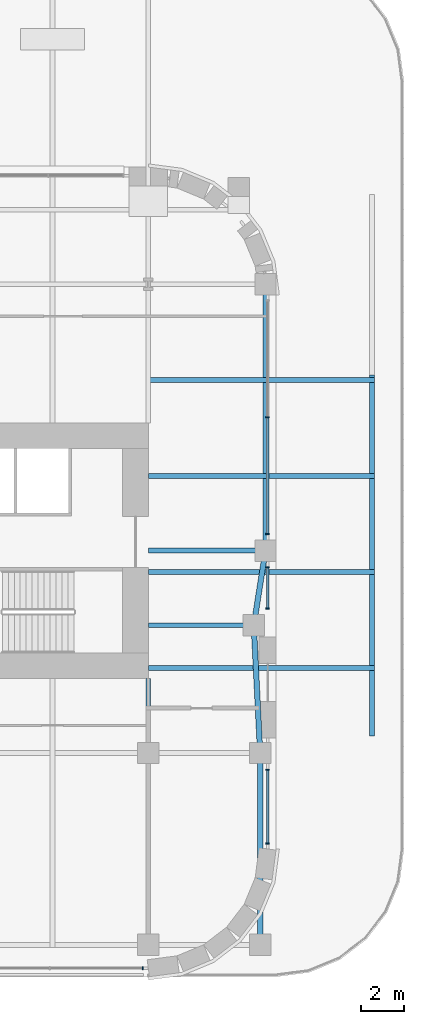
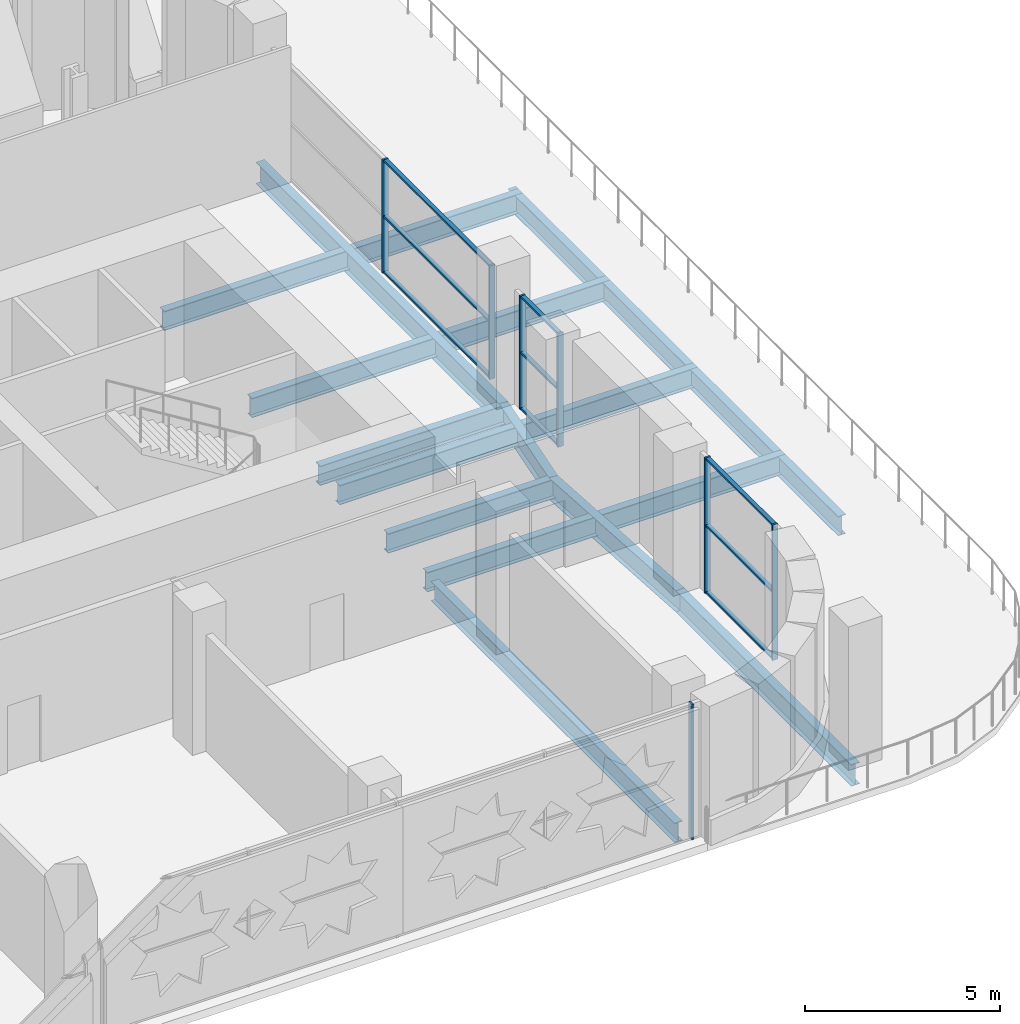
# One storey, part 10 of 26: 16 members, 12 beams, 4 elements without a shape of their own.
"""IFC4 building model written with IfcOpenShell, lengths in metres."""

from ifc_helpers import new_model, si_unit, direction, frame, origin, origin_2d, place, context, subcontext, project, spatial, rectangle, i_section, extrude, material, material_profile, profile_set, type_object, element, aggregate, save


model = new_model("IFC4")

# Units and contexts
model_context = context("Model", 3, precision=1e-05, world=origin(), true_north=direction((0.0, 1.0)))
body_context = subcontext(model_context, "Body", "Model", "MODEL_VIEW")
ifc_project = project(units=[si_unit("LENGTHUNIT", "METRE"), si_unit("AREAUNIT", "SQUARE_METRE"), si_unit("VOLUMEUNIT", "CUBIC_METRE"), si_unit("PLANEANGLEUNIT", "RADIAN"), si_unit("MASSUNIT", "GRAM", prefix="KILO")], contexts=[model_context])

# Site, building, storey
site_placement = place(None, origin())
site = spatial("IfcSite", under=ifc_project, at=site_placement, CompositionType="ELEMENT")
building_placement = place(site_placement, origin())
building = spatial("IfcBuilding", under=site, at=building_placement, Name="Zellij Exchange Tower", CompositionType="ELEMENT")
storey_placement = place(building_placement, frame((0.0, 0.0, 39.0)))
storey = spatial("IfcBuildingStorey", under=building, at=storey_placement, Name="L06", CompositionType="ELEMENT", Elevation=39.0)

# Curtain wall, member
ifc_material_1 = material(Name="Aluminium frame, clear insulating glass", Category="aluminium")
curtain_wall_type = type_object("IfcCurtainWallType", Name="ENV-CW1 Sky-garden glazing", PredefinedType="NOTDEFINED", material=ifc_material_1)
curtain_wall_1_placement = place(storey_placement, origin())
curtain_wall_1 = element("IfcCurtainWall", 1, at=curtain_wall_1_placement, inside=storey, type_object=curtain_wall_type, Name="cw.L06.00c", PredefinedType="NOTDEFINED")
ifc_material_2 = material(Name="Aluminium", Category="aluminium")
ifc_material_profile_1 = material_profile(ifc_material_2, rectangle(XDim=0.06005859375, YDim=0.159912109375, at=origin_2d()), Name="AL 60x160")
ifc_profile_set_1 = profile_set([ifc_material_profile_1], Name="Aluminium")
member_type_1 = type_object("IfcMemberType", Name="ENV-CW1M Mullion 60x160", PredefinedType="MULLION", material=ifc_profile_set_1)
member_1_placement = place(storey_placement, frame((26.743896484375, -27.60009765625, 0.0), z_axis=(0.0, 0.0, 1.0), x_axis=(1.0, 0.0, 0.0)))
member_1 = element("IfcMember", 2, at=member_1_placement, type_object=member_type_1, Name="CW1 mullion 5", PredefinedType="MULLION", context=body_context, shape_type="SweptSolid", body=[
    extrude(rectangle(XDim=0.06005859375, YDim=0.159912109375, at=origin_2d()), origin(), (0.0, 0.0, 1.0), 4.25),
])
aggregate(curtain_wall_1, [member_1])

# Curtain wall, members
curtain_wall_2_placement = place(storey_placement, origin())
curtain_wall_2 = element("IfcCurtainWall", 3, at=curtain_wall_2_placement, inside=storey, type_object=curtain_wall_type, Name="cw.L06.07a", PredefinedType="NOTDEFINED")
member_2_placement = place(storey_placement, frame((32.60009765625, -21.743896484375, 0.0), z_axis=(0.0, 0.0, 1.0), x_axis=(0.0, 1.0, 0.0)))
member_2 = element("IfcMember", 4, at=member_2_placement, type_object=member_type_1, Name="CW1 mullion 1", PredefinedType="MULLION", context=body_context, shape_type="SweptSolid", body=[
    extrude(rectangle(XDim=0.06005859375, YDim=0.159912109375, at=origin_2d()), origin(), (0.0, 0.0, 1.0), 4.25),
])
member_3_placement = place(storey_placement, frame((32.60009765625, -18.280029296875, 0.0), z_axis=(0.0, 0.0, 1.0), x_axis=(0.0, 1.0, 0.0)))
member_3 = element("IfcMember", 5, at=member_3_placement, type_object=member_type_1, Name="CW1 mullion 2", PredefinedType="MULLION", context=body_context, shape_type="SweptSolid", body=[
    extrude(rectangle(XDim=0.06005859375, YDim=0.159912109375, at=origin_2d()), origin(), (0.0, 0.0, 1.0), 4.25),
])

curtain_wall_3_placement = place(storey_placement, origin())
curtain_wall_3 = element("IfcCurtainWall", 6, at=curtain_wall_3_placement, inside=storey, type_object=curtain_wall_type, Name="cw.L06.07c", PredefinedType="NOTDEFINED")
member_4_placement = place(storey_placement, frame((32.60009765625, -10.719970703125, 0.0), z_axis=(0.0, 0.0, 1.0), x_axis=(0.0, 1.0, 0.0)))
member_4 = element("IfcMember", 7, at=member_4_placement, type_object=member_type_1, Name="CW1 mullion 1", PredefinedType="MULLION", context=body_context, shape_type="SweptSolid", body=[
    extrude(rectangle(XDim=0.06005859375, YDim=0.159912109375, at=origin_2d()), origin(), (0.0, 0.0, 1.0), 3.561767578125),
])
member_5_placement = place(storey_placement, frame((32.60009765625, -8.780029296875, 0.0), z_axis=(0.0, 0.0, 1.0), x_axis=(0.0, 1.0, 0.0)))
member_5 = element("IfcMember", 8, at=member_5_placement, type_object=member_type_1, Name="CW1 mullion 2", PredefinedType="MULLION", context=body_context, shape_type="SweptSolid", body=[
    extrude(rectangle(XDim=0.06005859375, YDim=0.159912109375, at=origin_2d()), origin(), (0.0, 0.0, 1.0), 3.561767578125),
])

curtain_wall_4_placement = place(storey_placement, origin())
curtain_wall_4 = element("IfcCurtainWall", 9, at=curtain_wall_4_placement, inside=storey, type_object=curtain_wall_type, Name="cw.L06.07d", PredefinedType="NOTDEFINED")
member_6_placement = place(storey_placement, frame((32.60009765625, -7.219970703125, 0.0), z_axis=(0.0, 0.0, 1.0), x_axis=(0.0, 1.0, 0.0)))
member_6 = element("IfcMember", 10, at=member_6_placement, type_object=member_type_1, Name="CW1 mullion 1", PredefinedType="MULLION", context=body_context, shape_type="SweptSolid", body=[
    extrude(rectangle(XDim=0.06005859375, YDim=0.159912109375, at=origin_2d()), origin(), (0.0, 0.0, 1.0), 3.561767578125),
])
member_7_placement = place(storey_placement, frame((32.60009765625, -1.738037109375, 0.0), z_axis=(0.0, 0.0, 1.0), x_axis=(0.0, 1.0, 0.0)))
member_7 = element("IfcMember", 11, at=member_7_placement, type_object=member_type_1, Name="CW1 mullion 2", PredefinedType="MULLION", context=body_context, shape_type="SweptSolid", body=[
    extrude(rectangle(XDim=0.06005859375, YDim=0.159912109375, at=origin_2d()), origin(), (0.0, 0.0, 1.0), 3.561767578125),
])

# Member
ifc_material_profile_2 = material_profile(ifc_material_2, rectangle(XDim=0.1201171875, YDim=0.06005859375, at=origin_2d()), Name="AL 120x60")
ifc_profile_set_2 = profile_set([ifc_material_profile_2], Name="Aluminium")
member_type_2 = type_object("IfcMemberType", Name="ENV-CW1T Transom 120x60", PredefinedType="USERDEFINED", material=ifc_profile_set_2)
member_8_placement = place(storey_placement, frame((32.60009765625, -21.7138671875, 0.030029296875), z_axis=(0.0, 1.0, 0.0), x_axis=(-1.0, 0.0, 0.0)))
member_8 = element("IfcMember", 12, at=member_8_placement, type_object=member_type_2, Name="CW1 transom 1.1", ObjectType="TRANSOM", PredefinedType="USERDEFINED", context=body_context, shape_type="SweptSolid", body=[
    extrude(rectangle(XDim=0.1201171875, YDim=0.06005859375, at=origin_2d()), origin(), (0.0, 0.0, 1.0), 3.40380859375),
])

member_9_placement = place(storey_placement, frame((32.60009765625, -21.7138671875, 2.125), z_axis=(0.0, 1.0, 0.0), x_axis=(-1.0, 0.0, 0.0)))
member_9 = element("IfcMember", 13, at=member_9_placement, type_object=member_type_2, Name="CW1 transom 1.2", ObjectType="TRANSOM", PredefinedType="USERDEFINED", context=body_context, shape_type="SweptSolid", body=[
    extrude(rectangle(XDim=0.1201171875, YDim=0.06005859375, at=origin_2d()), origin(), (0.0, 0.0, 1.0), 3.40380859375),
])

member_10_placement = place(storey_placement, frame((32.60009765625, -21.7138671875, 4.219970703125), z_axis=(0.0, 1.0, 0.0), x_axis=(-1.0, 0.0, 0.0)))
member_10 = element("IfcMember", 14, at=member_10_placement, type_object=member_type_2, Name="CW1 transom 1.3", ObjectType="TRANSOM", PredefinedType="USERDEFINED", context=body_context, shape_type="SweptSolid", body=[
    extrude(rectangle(XDim=0.1201171875, YDim=0.06005859375, at=origin_2d()), origin(), (0.0, 0.0, 1.0), 3.40380859375),
])

aggregate(curtain_wall_2, [member_2, member_3, member_8, member_9, member_10])

member_11_placement = place(storey_placement, frame((32.60009765625, -10.68994140625, 0.030029296875), z_axis=(0.0, 1.0, 0.0), x_axis=(-1.0, 0.0, 0.0)))
member_11 = element("IfcMember", 15, at=member_11_placement, type_object=member_type_2, Name="CW1 transom 1.1", ObjectType="TRANSOM", PredefinedType="USERDEFINED", context=body_context, shape_type="SweptSolid", body=[
    extrude(rectangle(XDim=0.1201171875, YDim=0.06005859375, at=origin_2d()), origin(), (0.0, 0.0, 1.0), 1.8798828125),
])

member_12_placement = place(storey_placement, frame((32.60009765625, -10.68994140625, 1.781005859375), z_axis=(0.0, 1.0, 0.0), x_axis=(-1.0, 0.0, 0.0)))
member_12 = element("IfcMember", 16, at=member_12_placement, type_object=member_type_2, Name="CW1 transom 1.2", ObjectType="TRANSOM", PredefinedType="USERDEFINED", context=body_context, shape_type="SweptSolid", body=[
    extrude(rectangle(XDim=0.1201171875, YDim=0.06005859375, at=origin_2d()), origin(), (0.0, 0.0, 1.0), 1.8798828125),
])

member_13_placement = place(storey_placement, frame((32.60009765625, -10.68994140625, 3.53173828125), z_axis=(0.0, 1.0, 0.0), x_axis=(-1.0, 0.0, 0.0)))
member_13 = element("IfcMember", 17, at=member_13_placement, type_object=member_type_2, Name="CW1 transom 1.3", ObjectType="TRANSOM", PredefinedType="USERDEFINED", context=body_context, shape_type="SweptSolid", body=[
    extrude(rectangle(XDim=0.1201171875, YDim=0.06005859375, at=origin_2d()), origin(), (0.0, 0.0, 1.0), 1.8798828125),
])

aggregate(curtain_wall_3, [member_4, member_5, member_11, member_12, member_13])

member_14_placement = place(storey_placement, frame((32.60009765625, -7.18994140625, 0.030029296875), z_axis=(0.0, 1.0, 0.0), x_axis=(-1.0, 0.0, 0.0)))
member_14 = element("IfcMember", 18, at=member_14_placement, type_object=member_type_2, Name="CW1 transom 1.1", ObjectType="TRANSOM", PredefinedType="USERDEFINED", context=body_context, shape_type="SweptSolid", body=[
    extrude(rectangle(XDim=0.1201171875, YDim=0.06005859375, at=origin_2d()), origin(), (0.0, 0.0, 1.0), 5.421875),
])

member_15_placement = place(storey_placement, frame((32.60009765625, -7.18994140625, 1.781005859375), z_axis=(0.0, 1.0, 0.0), x_axis=(-1.0, 0.0, 0.0)))
member_15 = element("IfcMember", 19, at=member_15_placement, type_object=member_type_2, Name="CW1 transom 1.2", ObjectType="TRANSOM", PredefinedType="USERDEFINED", context=body_context, shape_type="SweptSolid", body=[
    extrude(rectangle(XDim=0.1201171875, YDim=0.06005859375, at=origin_2d()), origin(), (0.0, 0.0, 1.0), 5.421875),
])

member_16_placement = place(storey_placement, frame((32.60009765625, -7.18994140625, 3.53173828125), z_axis=(0.0, 1.0, 0.0), x_axis=(-1.0, 0.0, 0.0)))
member_16 = element("IfcMember", 20, at=member_16_placement, type_object=member_type_2, Name="CW1 transom 1.3", ObjectType="TRANSOM", PredefinedType="USERDEFINED", context=body_context, shape_type="SweptSolid", body=[
    extrude(rectangle(XDim=0.1201171875, YDim=0.06005859375, at=origin_2d()), origin(), (0.0, 0.0, 1.0), 5.421875),
])

aggregate(curtain_wall_4, [member_6, member_7, member_14, member_15, member_16])

# Beams
ifc_material_3 = material(Name="Structural steel ASTM A992 Gr 50", Category="steel")
ifc_material_profile_3 = material_profile(ifc_material_3, i_section(OverallWidth=0.22900390625, OverallDepth=0.612060546875, WebThickness=0.011962890625, FlangeThickness=0.01953125, at=origin_2d()), Name="W24x84")
ifc_profile_set_3 = profile_set([ifc_material_profile_3], Name="Structural steel ASTM A992 Gr 50")
beam_type_1 = type_object("IfcBeamType", Name="STR-BEAM W24x84", PredefinedType="BEAM", material=ifc_profile_set_3)
for number, where, z_axis, x_axis, name in (
    (21, (27.0, -13.5, -0.55615234375), (1.0, 0.0, 0.0), (0.0, 1.0, 0.0), "B6"),
    (22, (27.0, -9.0, -0.55615234375), (1.0, 0.0, 0.0), (0.0, 1.0, 0.0), "B6"),
    (23, (27.0, -4.5, -0.55615234375), (1.0, 0.0, 0.0), (0.0, 1.0, 0.0), "B6"),
    (24, (27.0, 0.0, -0.55615234375), (1.0, 0.0, 0.0), (0.0, 1.0, 0.0), "B6"),
):
    element("IfcBeam", number, at=place(storey_placement, frame(where, z_axis=z_axis, x_axis=x_axis)), inside=storey, type_object=beam_type_1, Name=name, PredefinedType="BEAM", context=body_context, shape_type="SweptSolid", body=[
        extrude(i_section(OverallWidth=0.22900390625, OverallDepth=0.612060546875, WebThickness=0.011962890625, FlangeThickness=0.01953125, at=origin_2d()), origin(), (0.0, 0.0, 1.0), 10.614501953125),
    ])
ifc_material_profile_4 = material_profile(ifc_material_3, i_section(OverallWidth=0.25390625, OverallDepth=0.67822265625, WebThickness=0.01171875, FlangeThickness=0.016357421875, at=origin_2d()), Name="W27x84")
ifc_profile_set_4 = profile_set([ifc_material_profile_4], Name="Structural steel ASTM A992 Gr 50")
beam_type_2 = type_object("IfcBeamType", Name="STR-EDGE GIRDER W27x84", PredefinedType="BEAM", material=ifc_profile_set_4)
beam_1_placement = place(storey_placement, frame((32.25, -26.5, -0.589111328125), z_axis=(0.0, 1.0, 0.0), x_axis=(-1.0, 0.0, 0.0)))
element("IfcBeam", 25, at=beam_1_placement, inside=storey, type_object=beam_type_2, Name="EB7", PredefinedType="BEAM", context=body_context, shape_type="SweptSolid", body=[
    extrude(i_section(OverallWidth=0.25390625, OverallDepth=0.67822265625, WebThickness=0.01171875, FlangeThickness=0.016357421875, at=origin_2d()), origin(), (0.0, 0.0, 1.0), 9.0),
])
beam_2_placement = place(storey_placement, frame((32.25, -17.5, -0.589111328125), z_axis=(-0.049945724537, 0.998751933465, 0.0), x_axis=(-0.998751933465, -0.049945724537, 0.0)))
element("IfcBeam", 26, at=beam_2_placement, inside=storey, type_object=beam_type_2, Name="EB7", PredefinedType="BEAM", context=body_context, shape_type="SweptSolid", body=[
    extrude(i_section(OverallWidth=0.25390625, OverallDepth=0.67822265625, WebThickness=0.01171875, FlangeThickness=0.016357421875, at=origin_2d()), origin(), (0.0, 0.0, 1.0), 6.007568359375),
])
beam_3_placement = place(storey_placement, frame((31.949951171875, -11.5, -0.589111328125), z_axis=(0.155251283593, 0.987875011802, 0.0), x_axis=(-0.987875011802, 0.155251283593, 0.0)))
element("IfcBeam", 27, at=beam_3_placement, inside=storey, type_object=beam_type_2, Name="EB7", PredefinedType="BEAM", context=body_context, shape_type="SweptSolid", body=[
    extrude(i_section(OverallWidth=0.25390625, OverallDepth=0.67822265625, WebThickness=0.01171875, FlangeThickness=0.016357421875, at=origin_2d()), origin(), (0.0, 0.0, 1.0), 3.54296875),
])
beam_4_placement = place(storey_placement, frame((32.5, -8.0, -0.589111328125), z_axis=(0.0, 1.0, 0.0), x_axis=(-1.0, 0.0, 0.0)))
element("IfcBeam", 28, at=beam_4_placement, inside=storey, type_object=beam_type_2, Name="EB7", PredefinedType="BEAM", context=body_context, shape_type="SweptSolid", body=[
    extrude(i_section(OverallWidth=0.25390625, OverallDepth=0.67822265625, WebThickness=0.01171875, FlangeThickness=0.016357421875, at=origin_2d()), origin(), (0.0, 0.0, 1.0), 12.5),
])
ifc_material_profile_5 = material_profile(ifc_material_3, i_section(OverallWidth=0.22900390625, OverallDepth=0.612060546875, WebThickness=0.011962890625, FlangeThickness=0.01953125, at=origin_2d()), Name="W24x84")
ifc_profile_set_5 = profile_set([ifc_material_profile_5], Name="Structural steel ASTM A992 Gr 50")
beam_type_3 = type_object("IfcBeamType", Name="STR-GIRDER W24x84", PredefinedType="BEAM", material=ifc_profile_set_5)
beam_5_placement = place(storey_placement, frame((27.0, -11.5, -0.55615234375), z_axis=(1.0, 0.0, 0.0), x_axis=(0.0, 1.0, 0.0)))
element("IfcBeam", 29, at=beam_5_placement, inside=storey, type_object=beam_type_3, Name="G4", PredefinedType="BEAM", context=body_context, shape_type="SweptSolid", body=[
    extrude(i_section(OverallWidth=0.22900390625, OverallDepth=0.612060546875, WebThickness=0.011962890625, FlangeThickness=0.01953125, at=origin_2d()), origin(), (0.0, 0.0, 1.0), 4.949951171875),
])
beam_6_placement = place(storey_placement, frame((27.0, -8.0, -0.55615234375), z_axis=(1.0, 0.0, 0.0), x_axis=(0.0, 1.0, 0.0)))
element("IfcBeam", 30, at=beam_6_placement, inside=storey, type_object=beam_type_3, Name="G4", PredefinedType="BEAM", context=body_context, shape_type="SweptSolid", body=[
    extrude(i_section(OverallWidth=0.22900390625, OverallDepth=0.612060546875, WebThickness=0.011962890625, FlangeThickness=0.01953125, at=origin_2d()), origin(), (0.0, 0.0, 1.0), 5.5),
])
beam_7_placement = place(storey_placement, frame((27.0, -26.5, -0.55615234375), z_axis=(0.0, 1.0, 0.0), x_axis=(-1.0, 0.0, 0.0)))
element("IfcBeam", 31, at=beam_7_placement, inside=storey, type_object=beam_type_3, Name="G4", PredefinedType="BEAM", context=body_context, shape_type="SweptSolid", body=[
    extrude(i_section(OverallWidth=0.22900390625, OverallDepth=0.612060546875, WebThickness=0.011962890625, FlangeThickness=0.01953125, at=origin_2d()), origin(), (0.0, 0.0, 1.0), 12.5),
])
beam_8_placement = place(storey_placement, frame((37.5, -16.708984375, -0.55615234375), z_axis=(0.0, 1.0, 0.0), x_axis=(-1.0, 0.0, 0.0)))
element("IfcBeam", 32, at=beam_8_placement, inside=storey, type_object=beam_type_3, Name="G4", PredefinedType="BEAM", context=body_context, shape_type="SweptSolid", body=[
    extrude(i_section(OverallWidth=0.22900390625, OverallDepth=0.612060546875, WebThickness=0.011962890625, FlangeThickness=0.01953125, at=origin_2d()), origin(), (0.0, 0.0, 1.0), 16.945068359375),
])

save(model, "model.ifc")
